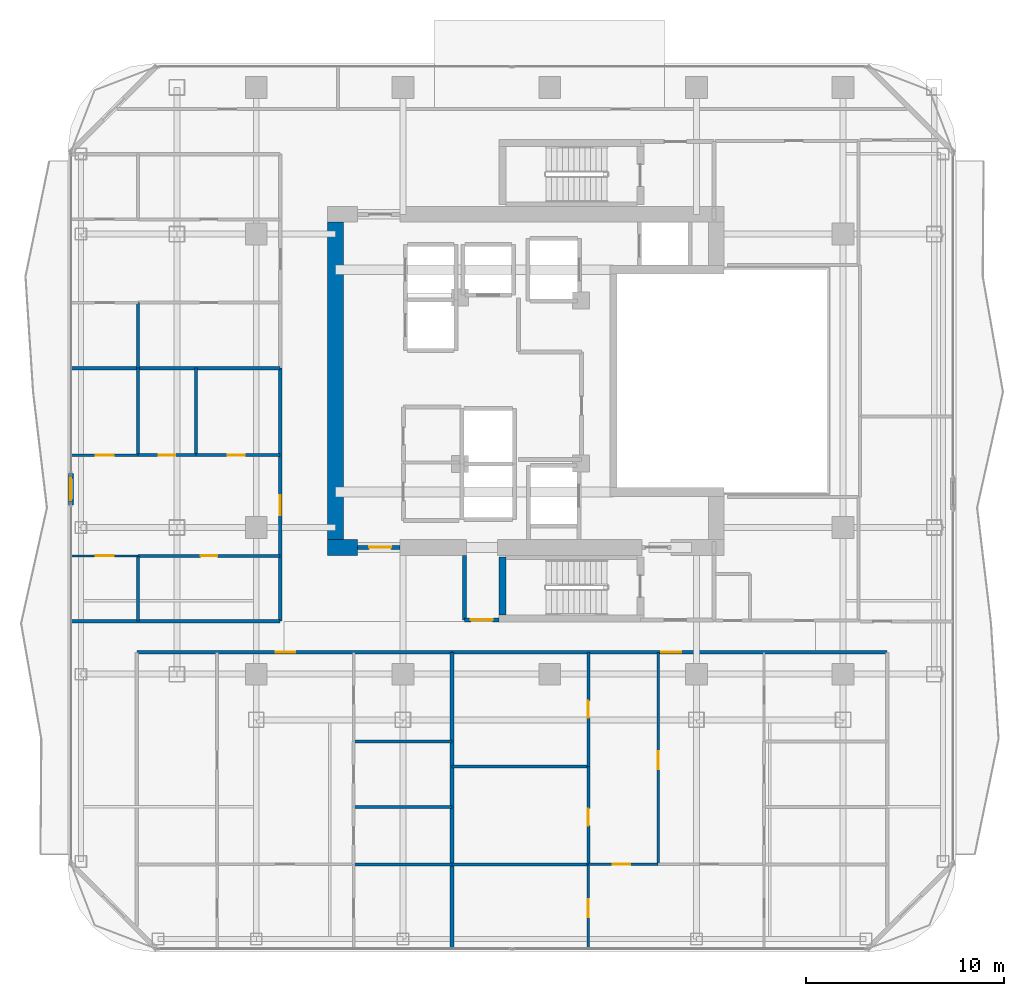
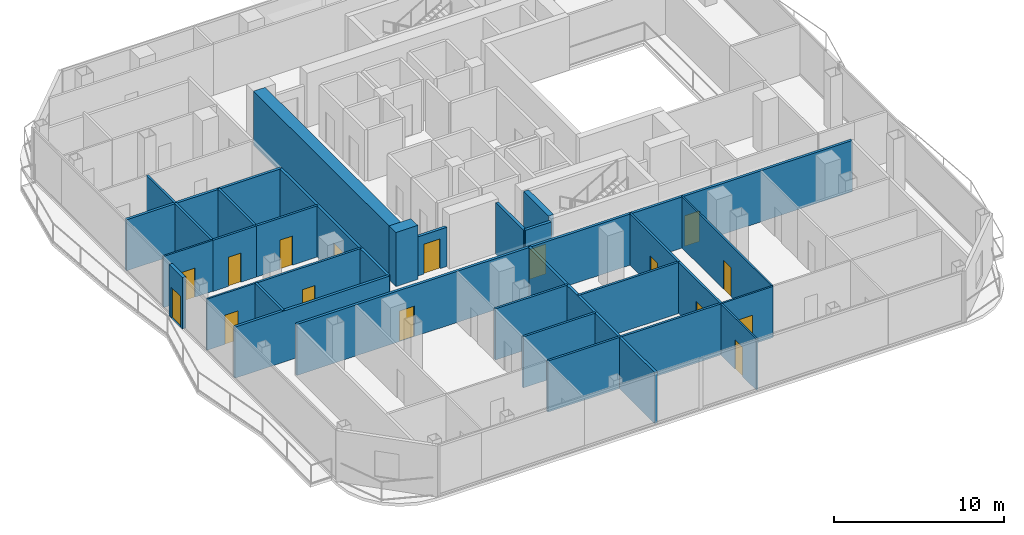
# One storey, part 17 of 23: 32 walls, 16 doors, 16 openings.
"""IFC4 building model written with IfcOpenShell, lengths in metres."""

from ifc_helpers import new_model, si_unit, direction, frame, frame_2d, origin, place, context, subcontext, project, spatial, rectangle, extrude, material, layer, layer_set, type_object, element, fill, save


model = new_model("IFC4")

# Units and contexts
model_context = context("Model", 3, precision=1e-05, world=origin(), true_north=direction((0.0, 1.0)))
body_context = subcontext(model_context, "Body", "Model", "MODEL_VIEW")
ifc_project = project(units=[si_unit("LENGTHUNIT", "METRE"), si_unit("AREAUNIT", "SQUARE_METRE"), si_unit("VOLUMEUNIT", "CUBIC_METRE"), si_unit("PLANEANGLEUNIT", "RADIAN"), si_unit("MASSUNIT", "GRAM", prefix="KILO")], contexts=[model_context])

# Site, building, storey
site_placement = place(None, origin())
site = spatial("IfcSite", under=ifc_project, at=site_placement, CompositionType="ELEMENT")
building_placement = place(site_placement, origin())
building = spatial("IfcBuilding", under=site, at=building_placement, Name="Khorvyn Point Tower", CompositionType="ELEMENT")
storey_placement = place(building_placement, frame((0.0, 0.0, 195.300048828125)))
storey = spatial("IfcBuildingStorey", under=building, at=storey_placement, Name="L48", CompositionType="ELEMENT", Elevation=195.300048828125)

# Wall, opening, door
ifc_material_1 = material(Name="Double acoustic gypsum on twin steel stud", Category="steel")
ifc_layer_1 = layer(ifc_material_1, 0.179931640625)
ifc_layer_set_1 = layer_set([ifc_layer_1], Name="Acoustic Double-Stud Apartment Demising Wall 180")
wall_type_1 = type_object("IfcWallType", Name="Acoustic Double-Stud Apartment Demising Wall 180", PredefinedType="PARTITIONING", material=ifc_layer_set_1)
wall_1_placement = place(storey_placement, frame((-20.820068359375, -13.699951171875, 0.0), z_axis=(0.0, 0.0, 1.0), x_axis=(1.0, 0.0, 0.0)))
wall_1 = element("IfcWall", 1, at=wall_1_placement, inside=storey, type_object=wall_type_1, Name="Wall", PredefinedType="PARTITIONING", context=body_context, shape_type="SweptSolid", body=[
    extrude(rectangle(XDim=15.89306640625, YDim=0.179931640625, at=frame_2d((7.946533203125, 0.0))), origin(), (0.0, 0.0, 1.0), 3.679931640625),
])
opening_1_placement = place(wall_1_placement, frame((6.99658203125, 0.0, 0.0)))
opening_1 = element("IfcOpeningElement", 2, at=opening_1_placement, cuts=wall_1, Name="Opening ID-AP60", PredefinedType="OPENING", context=body_context, shape_type="SweptSolid", body=[
    extrude(rectangle(XDim=1.0, YDim=2.199951171875, at=frame_2d((0.5, 1.10009765625))), frame((0.0, 0.099853515625, 0.0), z_axis=(0.0, -1.0, 0.0), x_axis=(1.0, 0.0, 0.0)), (0.0, 0.0, 1.0), 0.199951171875),
])
ifc_material_2 = material(Name="Engineered hardwood fire-rated leaf", Category="wood")
door_type_1 = type_object("IfcDoorType", Name="Acoustic Solid-Core Timber Apartment Entrance Door 1000x2200", OperationType="NOTDEFINED", PredefinedType="DOOR", material=ifc_material_2)
door_1_placement = place(opening_1_placement, origin())
door_1 = element("IfcDoor", 3, at=door_1_placement, inside=storey, type_object=door_type_1, Name="Door", OperationType="SINGLE_SWING_LEFT", OverallHeight=2.199951171875, OverallWidth=1.0, PredefinedType="DOOR", context=body_context, shape_type="SweptSolid", body=[
    extrude(rectangle(XDim=1.0, YDim=2.199951171875, at=frame_2d((0.5, 1.10009765625))), frame((0.0, 0.02490234375, 0.0), z_axis=(0.0, -1.0, 0.0), x_axis=(1.0, 0.0, 0.0)), (0.0, 0.0, 1.0), 0.050048828125),
])
fill(opening_1, door_1)

wall_2_placement = place(storey_placement, frame((-4.927001953125, -13.699951171875, 0.0), z_axis=(0.0, 0.0, 1.0), x_axis=(1.0, 0.0, 0.0)))
wall_2 = element("IfcWall", 4, at=wall_2_placement, inside=storey, type_object=wall_type_1, Name="Wall", PredefinedType="PARTITIONING", context=body_context, shape_type="SweptSolid", body=[
    extrude(rectangle(XDim=21.947021484375, YDim=0.179931640625, at=frame_2d((10.9736328125, 0.0))), origin(), (0.0, 0.0, 1.0), 3.679931640625),
])
opening_2_placement = place(wall_2_placement, frame((10.563232421875, 0.0, 0.0)))
opening_2 = element("IfcOpeningElement", 5, at=opening_2_placement, cuts=wall_2, Name="Opening ID-AP60", PredefinedType="OPENING", context=body_context, shape_type="SweptSolid", body=[
    extrude(rectangle(XDim=1.0, YDim=2.199951171875, at=frame_2d((0.5, 1.10009765625))), frame((0.0, 0.099853515625, 0.0), z_axis=(0.0, -1.0, 0.0), x_axis=(1.0, 0.0, 0.0)), (0.0, 0.0, 1.0), 0.199951171875),
])
door_2_placement = place(opening_2_placement, origin())
door_2 = element("IfcDoor", 6, at=door_2_placement, inside=storey, type_object=door_type_1, Name="Door", OperationType="SINGLE_SWING_LEFT", OverallHeight=2.199951171875, OverallWidth=1.0, PredefinedType="DOOR", context=body_context, shape_type="SweptSolid", body=[
    extrude(rectangle(XDim=1.0, YDim=2.199951171875, at=frame_2d((0.5, 1.10009765625))), frame((0.0, 0.02490234375, 0.0), z_axis=(0.0, -1.0, 0.0), x_axis=(1.0, 0.0, 0.0)), (0.0, 0.0, 1.0), 0.050048828125),
])
fill(opening_2, door_2)

wall_3_placement = place(storey_placement, frame((-13.60009765625, -12.1201171875, 0.0), z_axis=(0.0, 0.0, 1.0), x_axis=(0.0, 1.0, 0.0)))
wall_3 = element("IfcWall", 7, at=wall_3_placement, inside=storey, type_object=wall_type_1, Name="Wall", PredefinedType="PARTITIONING", context=body_context, shape_type="SweptSolid", body=[
    extrude(rectangle(XDim=12.76416015625, YDim=0.179931640625, at=frame_2d((6.382080078125, 0.0))), origin(), (0.0, 0.0, 1.0), 3.679931640625),
])
opening_3_placement = place(wall_3_placement, frame((5.345703125, 0.0, 0.0)))
opening_3 = element("IfcOpeningElement", 8, at=opening_3_placement, cuts=wall_3, Name="Opening ID-AP60", PredefinedType="OPENING", context=body_context, shape_type="SweptSolid", body=[
    extrude(rectangle(XDim=1.0, YDim=2.199951171875, at=frame_2d((0.5, 1.10009765625))), frame((0.0, 0.099853515625, 0.0), z_axis=(0.0, -1.0, 0.0), x_axis=(1.0, 0.0, 0.0)), (0.0, 0.0, 1.0), 0.199951171875),
])
door_3_placement = place(opening_3_placement, origin())
door_3 = element("IfcDoor", 9, at=door_3_placement, inside=storey, type_object=door_type_1, Name="Door", OperationType="SINGLE_SWING_RIGHT", OverallHeight=2.199951171875, OverallWidth=1.0, PredefinedType="DOOR", context=body_context, shape_type="SweptSolid", body=[
    extrude(rectangle(XDim=1.0, YDim=2.199951171875, at=frame_2d((0.5, 1.10009765625))), frame((0.0, 0.02490234375, 0.0), z_axis=(0.0, -1.0, 0.0), x_axis=(1.0, 0.0, 0.0)), (0.0, 0.0, 1.0), 0.050048828125),
])
fill(opening_3, door_3)

# Walls
wall_4_placement = place(storey_placement, frame((-4.927001953125, -28.6298828125, 0.0), z_axis=(0.0, 0.0, 1.0), x_axis=(0.0, 1.0, 0.0)))
element("IfcWall", 10, at=wall_4_placement, inside=storey, type_object=wall_type_1, Name="Wall", PredefinedType="PARTITIONING", context=body_context, shape_type="SweptSolid", body=[
    extrude(rectangle(XDim=14.929931640625, YDim=0.179931640625, at=frame_2d((7.46484375, 0.0))), origin(), (0.0, 0.0, 1.0), 3.679931640625),
])
for number, where, z_axis, x_axis, name in (
    (11, (-24.1298828125, 0.64404296875, 0.0), (0.0, 0.0, 1.0), (1.0, 0.0, 0.0), "Wall"),
    (12, (-24.1298828125, -12.1201171875, 0.0), (0.0, 0.0, 1.0), (1.0, 0.0, 0.0), "Wall"),
):
    element("IfcWall", number, at=place(storey_placement, frame(where, z_axis=z_axis, x_axis=x_axis)), inside=storey, type_object=wall_type_1, Name=name, PredefinedType="PARTITIONING", context=body_context, shape_type="SweptSolid", body=[
        extrude(rectangle(XDim=10.52978515625, YDim=0.179931640625, at=frame_2d((5.264892578125, 0.0))), origin(), (0.0, 0.0, 1.0), 3.679931640625),
    ])

# Wall, opening, door
ifc_material_3 = material(Name="Pale anodised aluminium rainscreen on steel stud", Category="steel")
ifc_layer_2 = layer(ifc_material_3, 0.239990234375)
ifc_layer_set_2 = layer_set([ifc_layer_2], Name="Anodised Aluminium Insulated Corner Spandrel Wall 240")
wall_type_2 = type_object("IfcWallType", Name="Anodised Aluminium Insulated Corner Spandrel Wall 240", PredefinedType="SOLIDWALL", material=ifc_layer_set_2)
wall_5_placement = place(storey_placement, frame((-24.14990234375, -6.25390625, 0.0), z_axis=(0.0, 0.0, 1.0), x_axis=(0.0, 1.0, 0.0)))
wall_5 = element("IfcWall", 13, at=wall_5_placement, inside=storey, type_object=wall_type_2, Name="L48 West Outdoor Threshold Wall", PredefinedType="SOLIDWALL", context=body_context, shape_type="SweptSolid", body=[
    extrude(rectangle(XDim=1.579833984375, YDim=0.239990234375, at=frame_2d((0.7900390625, 0.0))), origin(), (0.0, 0.0, 1.0), 3.679931640625),
])
opening_4_placement = place(wall_5_placement, frame((0.239990234375, 0.0, 0.0)))
opening_4 = element("IfcOpeningElement", 14, at=opening_4_placement, cuts=wall_5, Name="Opening BD-1122", PredefinedType="OPENING", context=body_context, shape_type="SweptSolid", body=[
    extrude(rectangle(XDim=1.10009765625, YDim=2.199951171875, at=frame_2d((0.550048828125, 1.10009765625))), frame((0.0, 0.1298828125, 0.0), z_axis=(0.0, -1.0, 0.0), x_axis=(1.0, 0.0, 0.0)), (0.0, 0.0, 1.0), 0.260009765625),
])
ifc_material_4 = material(Name="Anodised aluminium 6063-T6 and laminated Low-E glass", Category="aluminium")
door_type_2 = type_object("IfcDoorType", Name="Glazed Balcony and Terrace Threshold Door 1100x2200", OperationType="NOTDEFINED", PredefinedType="DOOR", material=ifc_material_4)
door_4_placement = place(opening_4_placement, origin())
door_4 = element("IfcDoor", 15, at=door_4_placement, inside=storey, type_object=door_type_2, Name="L48 West Glazed Balcony Outdoor Door", OperationType="SINGLE_SWING_RIGHT", OverallHeight=2.199951171875, OverallWidth=1.10009765625, PredefinedType="DOOR", context=body_context, shape_type="SweptSolid", body=[
    extrude(rectangle(XDim=1.10009765625, YDim=2.199951171875, at=frame_2d((0.550048828125, 1.10009765625))), frame((0.0, 0.02490234375, 0.0), z_axis=(0.0, -1.0, 0.0), x_axis=(1.0, 0.0, 0.0)), (0.0, 0.0, 1.0), 0.050048828125),
])
fill(opening_4, door_4)

ifc_material_5 = material(Name="Concrete C40/50", Category="concrete")
ifc_layer_3 = layer(ifc_material_5, 0.199951171875)
ifc_layer_set_3 = layer_set([ifc_layer_3], Name="Concrete C40/50 Fire-Lobby Compartment Wall 200")
wall_type_3 = type_object("IfcWallType", Name="Concrete C40/50 Fire-Lobby Compartment Wall 200", PredefinedType="SOLIDWALL", material=ifc_layer_set_3)
wall_6_placement = place(storey_placement, frame((-9.699951171875, -8.39990234375, 0.0), z_axis=(0.0, 0.0, 1.0), x_axis=(1.0, 0.0, 0.0)))
wall_6 = element("IfcWall", 16, at=wall_6_placement, inside=storey, type_object=wall_type_3, Name="Wall", PredefinedType="SOLIDWALL", context=body_context, shape_type="SweptSolid", body=[
    extrude(rectangle(XDim=2.14990234375, YDim=0.199951171875, at=frame_2d((1.074951171875, 0.0))), origin(), (0.0, 0.0, 1.0), 2.820068359375),
])
opening_5_placement = place(wall_6_placement, frame((0.597900390625, 0.0, 0.0)))
opening_5 = element("IfcOpeningElement", 17, at=opening_5_placement, cuts=wall_6, Name="Opening ID-FL90", PredefinedType="OPENING", context=body_context, shape_type="SweptSolid", body=[
    extrude(rectangle(XDim=1.10009765625, YDim=2.14990234375, at=frame_2d((0.550048828125, 1.074951171875))), frame((0.0, 0.10986328125, 0.0), z_axis=(0.0, -1.0, 0.0), x_axis=(1.0, 0.0, 0.0)), (0.0, 0.0, 1.0), 0.219970703125),
])
ifc_material_6 = material(Name="Galvanised powder-coated steel", Category="steel")
door_type_3 = type_object("IfcDoorType", Name="Fire-Rated Steel Lobby and Stair Door 1100x2150", OperationType="NOTDEFINED", PredefinedType="DOOR", material=ifc_material_6)
door_5_placement = place(opening_5_placement, origin())
door_5 = element("IfcDoor", 18, at=door_5_placement, inside=storey, type_object=door_type_3, Name="Door", OperationType="SINGLE_SWING_RIGHT", OverallHeight=2.14990234375, OverallWidth=1.10009765625, PredefinedType="DOOR", context=body_context, shape_type="SweptSolid", body=[
    extrude(rectangle(XDim=1.10009765625, YDim=2.14990234375, at=frame_2d((0.550048828125, 1.074951171875))), frame((0.0, 0.02490234375, 0.0), z_axis=(0.0, -1.0, 0.0), x_axis=(1.0, 0.0, 0.0)), (0.0, 0.0, 1.0), 0.050048828125),
])
fill(opening_5, door_5)

wall_7_placement = place(storey_placement, frame((-4.300048828125, -12.06005859375, 0.0), z_axis=(0.0, 0.0, 1.0), x_axis=(1.0, 0.0, 0.0)))
wall_7 = element("IfcWall", 19, at=wall_7_placement, inside=storey, type_object=wall_type_3, Name="Wall", PredefinedType="SOLIDWALL", context=body_context, shape_type="SweptSolid", body=[
    extrude(rectangle(XDim=1.75, YDim=0.199951171875, at=frame_2d((0.875, 0.0))), origin(), (0.0, 0.0, 1.0), 3.679931640625),
])
opening_6_placement = place(wall_7_placement, frame((0.324951171875, 0.0, 0.0)))
opening_6 = element("IfcOpeningElement", 20, at=opening_6_placement, cuts=wall_7, Name="Opening ID-FL90", PredefinedType="OPENING", context=body_context, shape_type="SweptSolid", body=[
    extrude(rectangle(XDim=1.10009765625, YDim=2.14990234375, at=frame_2d((0.550048828125, 1.074951171875))), frame((0.0, 0.10986328125, 0.0), z_axis=(0.0, -1.0, 0.0), x_axis=(1.0, 0.0, 0.0)), (0.0, 0.0, 1.0), 0.219970703125),
])
door_6_placement = place(opening_6_placement, origin())
door_6 = element("IfcDoor", 21, at=door_6_placement, inside=storey, type_object=door_type_3, Name="Door", OperationType="SINGLE_SWING_RIGHT", OverallHeight=2.14990234375, OverallWidth=1.10009765625, PredefinedType="DOOR", context=body_context, shape_type="SweptSolid", body=[
    extrude(rectangle(XDim=1.10009765625, YDim=2.14990234375, at=frame_2d((0.550048828125, 1.074951171875))), frame((0.0, 0.02490234375, 0.0), z_axis=(0.0, -1.0, 0.0), x_axis=(1.0, 0.0, 0.0)), (0.0, 0.0, 1.0), 0.050048828125),
])
fill(opening_6, door_6)

# Walls
wall_8_placement = place(storey_placement, frame((-4.300048828125, -12.06005859375, 0.0), z_axis=(0.0, 0.0, 1.0), x_axis=(0.0, 1.0, 0.0)))
element("IfcWall", 22, at=wall_8_placement, inside=storey, type_object=wall_type_3, Name="Wall", PredefinedType="SOLIDWALL", context=body_context, shape_type="SweptSolid", body=[
    extrude(rectangle(XDim=3.260009765625, YDim=0.199951171875, at=frame_2d((1.6298828125, 0.0))), origin(), (0.0, 0.0, 1.0), 3.679931640625),
])
ifc_layer_4 = layer(ifc_material_5, 0.35009765625)
ifc_layer_set_4 = layer_set([ifc_layer_4], Name="Concrete C40/50 Stair Shaft Structural Wall 350")
wall_type_4 = type_object("IfcWallType", Name="Concrete C40/50 Stair Shaft Structural Wall 350", PredefinedType="SHEAR", material=ifc_layer_set_4)
wall_9_placement = place(storey_placement, frame((-2.3798828125, -11.824951171875, 0.0), z_axis=(0.0, 0.0, 1.0), x_axis=(0.0, 1.0, 0.0)))
element("IfcWall", 23, at=wall_9_placement, inside=storey, type_object=wall_type_4, Name="L48 ST-01 West Shaft Wall", PredefinedType="SHEAR", context=body_context, shape_type="SweptSolid", body=[
    extrude(rectangle(XDim=2.925048828125, YDim=0.35009765625, at=frame_2d((1.46240234375, 0.0))), origin(), (0.0, 0.0, 1.0), 3.89990234375),
])
ifc_material_7 = material(Name="Concrete C45/55", Category="concrete")
ifc_layer_5 = layer(ifc_material_7, 0.800048828125)
ifc_layer_set_5 = layer_set([ifc_layer_5], Name="Concrete C45/55 Core Shear Wall 800")
wall_type_5 = type_object("IfcWallType", Name="Concrete C45/55 Core Shear Wall 800", PredefinedType="SHEAR", material=ifc_layer_set_5)
wall_10_placement = place(storey_placement, frame((-11.199951171875, -8.39990234375, 0.0), z_axis=(0.0, 0.0, 1.0), x_axis=(1.0, 0.0, 0.0)))
element("IfcWall", 24, at=wall_10_placement, inside=storey, type_object=wall_type_5, Name="Wall", PredefinedType="SHEAR", context=body_context, shape_type="SweptSolid", body=[
    extrude(rectangle(XDim=1.5, YDim=0.800048828125, at=frame_2d((0.75, 0.0))), origin(), (0.0, 0.0, 1.0), 3.89990234375),
])
wall_11_placement = place(storey_placement, frame((-10.800048828125, -8.0, 0.0), z_axis=(0.0, 0.0, 1.0), x_axis=(0.0, 1.0, 0.0)))
element("IfcWall", 25, at=wall_11_placement, inside=storey, type_object=wall_type_5, Name="Wall", PredefinedType="SHEAR", context=body_context, shape_type="SweptSolid", body=[
    extrude(rectangle(XDim=16.0, YDim=0.800048828125, at=frame_2d((8.0, 0.0))), origin(), (0.0, 0.0, 1.0), 3.89990234375),
])

# Wall, opening, door
ifc_material_8 = material(Name="Gypsum plasterboard on steel stud", Category="steel")
ifc_layer_6 = layer(ifc_material_8, 0.1201171875)
ifc_layer_set_6 = layer_set([ifc_layer_6], Name="Gypsum Acoustic Stud Room Partition Wall 120")
wall_type_6 = type_object("IfcWallType", Name="Gypsum Acoustic Stud Room Partition Wall 120", PredefinedType="PARTITIONING", material=ifc_layer_set_6)
wall_12_placement = place(storey_placement, frame((1.955078125, -24.389892578125, 0.0), z_axis=(0.0, 0.0, 1.0), x_axis=(1.0, 0.0, 0.0)))
wall_12 = element("IfcWall", 26, at=wall_12_placement, inside=storey, type_object=wall_type_6, Name="Wall", PredefinedType="PARTITIONING", context=body_context, shape_type="SweptSolid", body=[
    extrude(rectangle(XDim=3.516845703125, YDim=0.1201171875, at=frame_2d((1.75830078125, 0.0))), origin(), (0.0, 0.0, 1.0), 3.679931640625),
])
opening_7_placement = place(wall_12_placement, frame((1.22021484375, 0.0, 0.0)))
opening_7 = element("IfcOpeningElement", 27, at=opening_7_placement, cuts=wall_12, Name="Opening ID-RM90", PredefinedType="OPENING", context=body_context, shape_type="SweptSolid", body=[
    extrude(rectangle(XDim=0.89990234375, YDim=2.10009765625, at=frame_2d((0.449951171875, 1.050048828125))), frame((0.0, 0.070068359375, 0.0), z_axis=(0.0, -1.0, 0.0), x_axis=(1.0, 0.0, 0.0)), (0.0, 0.0, 1.0), 0.14013671875),
])
ifc_material_9 = material(Name="Engineered oak veneer timber", Category="wood")
door_type_4 = type_object("IfcDoorType", Name="Flush Engineered Timber Room Door 900x2100", OperationType="NOTDEFINED", PredefinedType="DOOR", material=ifc_material_9)
door_7_placement = place(opening_7_placement, origin())
door_7 = element("IfcDoor", 28, at=door_7_placement, inside=storey, type_object=door_type_4, Name="Door", OperationType="SINGLE_SWING_RIGHT", OverallHeight=2.10009765625, OverallWidth=0.89990234375, PredefinedType="DOOR", context=body_context, shape_type="SweptSolid", body=[
    extrude(rectangle(XDim=0.89990234375, YDim=2.10009765625, at=frame_2d((0.449951171875, 1.050048828125))), frame((0.0, 0.02490234375, 0.0), z_axis=(0.0, -1.0, 0.0), x_axis=(1.0, 0.0, 0.0)), (0.0, 0.0, 1.0), 0.050048828125),
])
fill(opening_7, door_7)

wall_13_placement = place(storey_placement, frame((5.471923828125, -24.389892578125, 0.0), z_axis=(0.0, 0.0, 1.0), x_axis=(0.0, 1.0, 0.0)))
wall_13 = element("IfcWall", 29, at=wall_13_placement, inside=storey, type_object=wall_type_6, Name="Wall", PredefinedType="PARTITIONING", context=body_context, shape_type="SweptSolid", body=[
    extrude(rectangle(XDim=10.68994140625, YDim=0.1201171875, at=frame_2d((5.344970703125, 0.0))), origin(), (0.0, 0.0, 1.0), 3.679931640625),
])
opening_8_placement = place(wall_13_placement, frame((4.8056640625, 0.0, 0.0)))
opening_8 = element("IfcOpeningElement", 30, at=opening_8_placement, cuts=wall_13, Name="Opening ID-RM90", PredefinedType="OPENING", context=body_context, shape_type="SweptSolid", body=[
    extrude(rectangle(XDim=0.89990234375, YDim=2.10009765625, at=frame_2d((0.449951171875, 1.050048828125))), frame((0.0, 0.070068359375, 0.0), z_axis=(0.0, -1.0, 0.0), x_axis=(1.0, 0.0, 0.0)), (0.0, 0.0, 1.0), 0.14013671875),
])
door_8_placement = place(opening_8_placement, origin())
door_8 = element("IfcDoor", 31, at=door_8_placement, inside=storey, type_object=door_type_4, Name="Door", OperationType="SINGLE_SWING_RIGHT", OverallHeight=2.10009765625, OverallWidth=0.89990234375, PredefinedType="DOOR", context=body_context, shape_type="SweptSolid", body=[
    extrude(rectangle(XDim=0.89990234375, YDim=2.10009765625, at=frame_2d((0.449951171875, 1.050048828125))), frame((0.0, 0.02490234375, 0.0), z_axis=(0.0, -1.0, 0.0), x_axis=(1.0, 0.0, 0.0)), (0.0, 0.0, 1.0), 0.050048828125),
])
fill(opening_8, door_8)

wall_14_placement = place(storey_placement, frame((1.955078125, -28.6298828125, 0.0), z_axis=(0.0, 0.0, 1.0), x_axis=(0.0, 1.0, 0.0)))
wall_14 = element("IfcWall", 32, at=wall_14_placement, inside=storey, type_object=wall_type_6, Name="Wall", PredefinedType="PARTITIONING", context=body_context, shape_type="SweptSolid", body=[
    extrude(rectangle(XDim=4.239990234375, YDim=0.1201171875, at=frame_2d((2.1201171875, 0.0))), origin(), (0.0, 0.0, 1.0), 3.679931640625),
])
opening_9_placement = place(wall_14_placement, frame((1.581298828125, 0.0, 0.0)))
opening_9 = element("IfcOpeningElement", 33, at=opening_9_placement, cuts=wall_14, Name="Opening ID-RM90", PredefinedType="OPENING", context=body_context, shape_type="SweptSolid", body=[
    extrude(rectangle(XDim=0.89990234375, YDim=2.10009765625, at=frame_2d((0.449951171875, 1.050048828125))), frame((0.0, 0.070068359375, 0.0), z_axis=(0.0, -1.0, 0.0), x_axis=(1.0, 0.0, 0.0)), (0.0, 0.0, 1.0), 0.14013671875),
])
door_9_placement = place(opening_9_placement, origin())
door_9 = element("IfcDoor", 34, at=door_9_placement, inside=storey, type_object=door_type_4, Name="Door", OperationType="SINGLE_SWING_LEFT", OverallHeight=2.10009765625, OverallWidth=0.89990234375, PredefinedType="DOOR", context=body_context, shape_type="SweptSolid", body=[
    extrude(rectangle(XDim=0.89990234375, YDim=2.10009765625, at=frame_2d((0.449951171875, 1.050048828125))), frame((0.0, 0.02490234375, 0.0), z_axis=(0.0, -1.0, 0.0), x_axis=(1.0, 0.0, 0.0)), (0.0, 0.0, 1.0), 0.050048828125),
])
fill(opening_9, door_9)

wall_15_placement = place(storey_placement, frame((-24.1298828125, -8.8359375, 0.0), z_axis=(0.0, 0.0, 1.0), x_axis=(1.0, 0.0, 0.0)))
wall_15 = element("IfcWall", 35, at=wall_15_placement, inside=storey, type_object=wall_type_6, Name="Wall", PredefinedType="PARTITIONING", context=body_context, shape_type="SweptSolid", body=[
    extrude(rectangle(XDim=3.36083984375, YDim=0.1201171875, at=frame_2d((1.680419921875, 0.0))), origin(), (0.0, 0.0, 1.0), 3.679931640625),
])
opening_10_placement = place(wall_15_placement, frame((1.23046875, 0.0, 0.0)))
opening_10 = element("IfcOpeningElement", 36, at=opening_10_placement, cuts=wall_15, Name="Opening ID-RM90", PredefinedType="OPENING", context=body_context, shape_type="SweptSolid", body=[
    extrude(rectangle(XDim=0.89990234375, YDim=2.10009765625, at=frame_2d((0.449951171875, 1.050048828125))), frame((0.0, 0.070068359375, 0.0), z_axis=(0.0, -1.0, 0.0), x_axis=(1.0, 0.0, 0.0)), (0.0, 0.0, 1.0), 0.14013671875),
])
door_10_placement = place(opening_10_placement, origin())
door_10 = element("IfcDoor", 37, at=door_10_placement, inside=storey, type_object=door_type_4, Name="Door", OperationType="SINGLE_SWING_RIGHT", OverallHeight=2.10009765625, OverallWidth=0.89990234375, PredefinedType="DOOR", context=body_context, shape_type="SweptSolid", body=[
    extrude(rectangle(XDim=0.89990234375, YDim=2.10009765625, at=frame_2d((0.449951171875, 1.050048828125))), frame((0.0, 0.02490234375, 0.0), z_axis=(0.0, -1.0, 0.0), x_axis=(1.0, 0.0, 0.0)), (0.0, 0.0, 1.0), 0.050048828125),
])
fill(opening_10, door_10)

wall_16_placement = place(storey_placement, frame((-24.1298828125, -3.7529296875, 0.0), z_axis=(0.0, 0.0, 1.0), x_axis=(1.0, 0.0, 0.0)))
wall_16 = element("IfcWall", 38, at=wall_16_placement, inside=storey, type_object=wall_type_6, Name="Wall", PredefinedType="PARTITIONING", context=body_context, shape_type="SweptSolid", body=[
    extrude(rectangle(XDim=3.36083984375, YDim=0.1201171875, at=frame_2d((1.680419921875, 0.0))), origin(), (0.0, 0.0, 1.0), 3.679931640625),
])
opening_11_placement = place(wall_16_placement, frame((1.23046875, 0.0, 0.0)))
opening_11 = element("IfcOpeningElement", 39, at=opening_11_placement, cuts=wall_16, Name="Opening ID-RM90", PredefinedType="OPENING", context=body_context, shape_type="SweptSolid", body=[
    extrude(rectangle(XDim=0.89990234375, YDim=2.10009765625, at=frame_2d((0.449951171875, 1.050048828125))), frame((0.0, 0.070068359375, 0.0), z_axis=(0.0, -1.0, 0.0), x_axis=(1.0, 0.0, 0.0)), (0.0, 0.0, 1.0), 0.14013671875),
])
door_11_placement = place(opening_11_placement, origin())
door_11 = element("IfcDoor", 40, at=door_11_placement, inside=storey, type_object=door_type_4, Name="Door", OperationType="SINGLE_SWING_LEFT", OverallHeight=2.10009765625, OverallWidth=0.89990234375, PredefinedType="DOOR", context=body_context, shape_type="SweptSolid", body=[
    extrude(rectangle(XDim=0.89990234375, YDim=2.10009765625, at=frame_2d((0.449951171875, 1.050048828125))), frame((0.0, 0.02490234375, 0.0), z_axis=(0.0, -1.0, 0.0), x_axis=(1.0, 0.0, 0.0)), (0.0, 0.0, 1.0), 0.050048828125),
])
fill(opening_11, door_11)

ifc_material_10 = material(Name="Moisture-resistant gypsum and cement board", Category="gypsum")
ifc_layer_7 = layer(ifc_material_10, 0.14990234375)
ifc_layer_set_7 = layer_set([ifc_layer_7], Name="Moisture-Resistant Wet-Room Partition Wall 150")
wall_type_7 = type_object("IfcWallType", Name="Moisture-Resistant Wet-Room Partition Wall 150", PredefinedType="PARTITIONING", material=ifc_layer_set_7)
wall_17_placement = place(storey_placement, frame((1.955078125, -24.389892578125, 0.0), z_axis=(0.0, 0.0, 1.0), x_axis=(0.0, 1.0, 0.0)))
wall_17 = element("IfcWall", 41, at=wall_17_placement, inside=storey, type_object=wall_type_7, Name="Wall", PredefinedType="PARTITIONING", context=body_context, shape_type="SweptSolid", body=[
    extrude(rectangle(XDim=4.93994140625, YDim=0.14990234375, at=frame_2d((2.469970703125, 0.0))), origin(), (0.0, 0.0, 1.0), 3.679931640625),
])
opening_12_placement = place(wall_17_placement, frame((1.955078125, 0.0, 0.0)))
opening_12 = element("IfcOpeningElement", 42, at=opening_12_placement, cuts=wall_17, Name="Opening ID-WC85", PredefinedType="OPENING", context=body_context, shape_type="SweptSolid", body=[
    extrude(rectangle(XDim=0.85009765625, YDim=2.10009765625, at=frame_2d((0.425048828125, 1.050048828125))), frame((0.0, 0.0849609375, 0.0), z_axis=(0.0, -1.0, 0.0), x_axis=(1.0, 0.0, 0.0)), (0.0, 0.0, 1.0), 0.169921875),
])
ifc_material_11 = material(Name="High-pressure laminate on moisture-resistant core", Category="wood")
door_type_5 = type_object("IfcDoorType", Name="Moisture-Resistant Accessible Washroom Door 850x2100", OperationType="NOTDEFINED", PredefinedType="DOOR", material=ifc_material_11)
door_12_placement = place(opening_12_placement, origin())
door_12 = element("IfcDoor", 43, at=door_12_placement, inside=storey, type_object=door_type_5, Name="Door", OperationType="SINGLE_SWING_LEFT", OverallHeight=2.10009765625, OverallWidth=0.85009765625, PredefinedType="DOOR", context=body_context, shape_type="SweptSolid", body=[
    extrude(rectangle(XDim=0.85009765625, YDim=2.10009765625, at=frame_2d((0.425048828125, 1.050048828125))), frame((0.0, 0.02490234375, 0.0), z_axis=(0.0, -1.0, 0.0), x_axis=(1.0, 0.0, 0.0)), (0.0, 0.0, 1.0), 0.050048828125),
])
fill(opening_12, door_12)

wall_18_placement = place(storey_placement, frame((1.955078125, -19.449951171875, 0.0), z_axis=(0.0, 0.0, 1.0), x_axis=(0.0, 1.0, 0.0)))
wall_18 = element("IfcWall", 44, at=wall_18_placement, inside=storey, type_object=wall_type_7, Name="Wall", PredefinedType="PARTITIONING", context=body_context, shape_type="SweptSolid", body=[
    extrude(rectangle(XDim=5.75, YDim=0.14990234375, at=frame_2d((2.875, 0.0))), origin(), (0.0, 0.0, 1.0), 3.679931640625),
])
opening_13_placement = place(wall_18_placement, frame((2.449951171875, 0.0, 0.0)))
opening_13 = element("IfcOpeningElement", 45, at=opening_13_placement, cuts=wall_18, Name="Opening ID-WC85", PredefinedType="OPENING", context=body_context, shape_type="SweptSolid", body=[
    extrude(rectangle(XDim=0.85009765625, YDim=2.10009765625, at=frame_2d((0.425048828125, 1.050048828125))), frame((0.0, 0.0849609375, 0.0), z_axis=(0.0, -1.0, 0.0), x_axis=(1.0, 0.0, 0.0)), (0.0, 0.0, 1.0), 0.169921875),
])
door_13_placement = place(opening_13_placement, origin())
door_13 = element("IfcDoor", 46, at=door_13_placement, inside=storey, type_object=door_type_5, Name="Door", OperationType="SINGLE_SWING_RIGHT", OverallHeight=2.10009765625, OverallWidth=0.85009765625, PredefinedType="DOOR", context=body_context, shape_type="SweptSolid", body=[
    extrude(rectangle(XDim=0.85009765625, YDim=2.10009765625, at=frame_2d((0.425048828125, 1.050048828125))), frame((0.0, 0.02490234375, 0.0), z_axis=(0.0, -1.0, 0.0), x_axis=(1.0, 0.0, 0.0)), (0.0, 0.0, 1.0), 0.050048828125),
])
fill(opening_13, door_13)

wall_19_placement = place(storey_placement, frame((-20.76904296875, -3.7529296875, 0.0), z_axis=(0.0, 0.0, 1.0), x_axis=(1.0, 0.0, 0.0)))
wall_19 = element("IfcWall", 47, at=wall_19_placement, inside=storey, type_object=wall_type_7, Name="Wall", PredefinedType="PARTITIONING", context=body_context, shape_type="SweptSolid", body=[
    extrude(rectangle(XDim=2.93896484375, YDim=0.14990234375, at=frame_2d((1.469482421875, 0.0))), origin(), (0.0, 0.0, 1.0), 3.679931640625),
])
opening_14_placement = place(wall_19_placement, frame((1.04443359375, 0.0, 0.0)))
opening_14 = element("IfcOpeningElement", 48, at=opening_14_placement, cuts=wall_19, Name="Opening ID-WC85", PredefinedType="OPENING", context=body_context, shape_type="SweptSolid", body=[
    extrude(rectangle(XDim=0.85009765625, YDim=2.10009765625, at=frame_2d((0.425048828125, 1.050048828125))), frame((0.0, 0.0849609375, 0.0), z_axis=(0.0, -1.0, 0.0), x_axis=(1.0, 0.0, 0.0)), (0.0, 0.0, 1.0), 0.169921875),
])
door_14_placement = place(opening_14_placement, origin())
door_14 = element("IfcDoor", 49, at=door_14_placement, inside=storey, type_object=door_type_5, Name="Door", OperationType="SINGLE_SWING_LEFT", OverallHeight=2.10009765625, OverallWidth=0.85009765625, PredefinedType="DOOR", context=body_context, shape_type="SweptSolid", body=[
    extrude(rectangle(XDim=0.85009765625, YDim=2.10009765625, at=frame_2d((0.425048828125, 1.050048828125))), frame((0.0, 0.02490234375, 0.0), z_axis=(0.0, -1.0, 0.0), x_axis=(1.0, 0.0, 0.0)), (0.0, 0.0, 1.0), 0.050048828125),
])
fill(opening_14, door_14)

wall_20_placement = place(storey_placement, frame((-17.830078125, -3.7529296875, 0.0), z_axis=(0.0, 0.0, 1.0), x_axis=(1.0, 0.0, 0.0)))
wall_20 = element("IfcWall", 50, at=wall_20_placement, inside=storey, type_object=wall_type_7, Name="Wall", PredefinedType="PARTITIONING", context=body_context, shape_type="SweptSolid", body=[
    extrude(rectangle(XDim=4.22998046875, YDim=0.14990234375, at=frame_2d((2.114990234375, 0.0))), origin(), (0.0, 0.0, 1.0), 3.679931640625),
])
opening_15_placement = place(wall_20_placement, frame((1.60009765625, 0.0, 0.0)))
opening_15 = element("IfcOpeningElement", 51, at=opening_15_placement, cuts=wall_20, Name="Opening ID-WC85", PredefinedType="OPENING", context=body_context, shape_type="SweptSolid", body=[
    extrude(rectangle(XDim=0.85009765625, YDim=2.10009765625, at=frame_2d((0.425048828125, 1.050048828125))), frame((0.0, 0.0849609375, 0.0), z_axis=(0.0, -1.0, 0.0), x_axis=(1.0, 0.0, 0.0)), (0.0, 0.0, 1.0), 0.169921875),
])
door_15_placement = place(opening_15_placement, origin())
door_15 = element("IfcDoor", 52, at=door_15_placement, inside=storey, type_object=door_type_5, Name="Door", OperationType="SINGLE_SWING_RIGHT", OverallHeight=2.10009765625, OverallWidth=0.85009765625, PredefinedType="DOOR", context=body_context, shape_type="SweptSolid", body=[
    extrude(rectangle(XDim=0.85009765625, YDim=2.10009765625, at=frame_2d((0.425048828125, 1.050048828125))), frame((0.0, 0.02490234375, 0.0), z_axis=(0.0, -1.0, 0.0), x_axis=(1.0, 0.0, 0.0)), (0.0, 0.0, 1.0), 0.050048828125),
])
fill(opening_15, door_15)

wall_21_placement = place(storey_placement, frame((-20.76904296875, -8.8359375, 0.0), z_axis=(0.0, 0.0, 1.0), x_axis=(1.0, 0.0, 0.0)))
wall_21 = element("IfcWall", 53, at=wall_21_placement, inside=storey, type_object=wall_type_7, Name="Wall", PredefinedType="PARTITIONING", context=body_context, shape_type="SweptSolid", body=[
    extrude(rectangle(XDim=7.1689453125, YDim=0.14990234375, at=frame_2d((3.58447265625, 0.0))), origin(), (0.0, 0.0, 1.0), 3.679931640625),
])
opening_16_placement = place(wall_21_placement, frame((3.159423828125, 0.0, 0.0)))
opening_16 = element("IfcOpeningElement", 54, at=opening_16_placement, cuts=wall_21, Name="Opening ID-WC85", PredefinedType="OPENING", context=body_context, shape_type="SweptSolid", body=[
    extrude(rectangle(XDim=0.85009765625, YDim=2.10009765625, at=frame_2d((0.425048828125, 1.050048828125))), frame((0.0, 0.0849609375, 0.0), z_axis=(0.0, -1.0, 0.0), x_axis=(1.0, 0.0, 0.0)), (0.0, 0.0, 1.0), 0.169921875),
])
door_16_placement = place(opening_16_placement, origin())
door_16 = element("IfcDoor", 55, at=door_16_placement, inside=storey, type_object=door_type_5, Name="Door", OperationType="SINGLE_SWING_LEFT", OverallHeight=2.10009765625, OverallWidth=0.85009765625, PredefinedType="DOOR", context=body_context, shape_type="SweptSolid", body=[
    extrude(rectangle(XDim=0.85009765625, YDim=2.10009765625, at=frame_2d((0.425048828125, 1.050048828125))), frame((0.0, 0.02490234375, 0.0), z_axis=(0.0, -1.0, 0.0), x_axis=(1.0, 0.0, 0.0)), (0.0, 0.0, 1.0), 0.050048828125),
])
fill(opening_16, door_16)

# Walls
for number, where, z_axis, x_axis, name in (
    (56, (-9.885009765625, -21.50390625, 0.0), (0.0, 0.0, 1.0), (1.0, 0.0, 0.0), "Wall"),
    (57, (-9.885009765625, -18.18994140625, 0.0), (0.0, 0.0, 1.0), (1.0, 0.0, 0.0), "Wall"),
    (58, (-9.885009765625, -24.389892578125, 0.0), (0.0, 0.0, 1.0), (1.0, 0.0, 0.0), "Wall"),
):
    element("IfcWall", number, at=place(storey_placement, frame(where, z_axis=z_axis, x_axis=x_axis)), inside=storey, type_object=wall_type_7, Name=name, PredefinedType="PARTITIONING", context=body_context, shape_type="SweptSolid", body=[
        extrude(rectangle(XDim=4.9580078125, YDim=0.14990234375, at=frame_2d((2.47900390625, 0.0))), origin(), (0.0, 0.0, 1.0), 3.679931640625),
    ])
for number, where, z_axis, x_axis, name in (
    (59, (-4.927001953125, -19.449951171875, 0.0), (0.0, 0.0, 1.0), (1.0, 0.0, 0.0), "Wall"),
    (60, (-4.927001953125, -24.389892578125, 0.0), (0.0, 0.0, 1.0), (1.0, 0.0, 0.0), "Wall"),
):
    element("IfcWall", number, at=place(storey_placement, frame(where, z_axis=z_axis, x_axis=x_axis)), inside=storey, type_object=wall_type_7, Name=name, PredefinedType="PARTITIONING", context=body_context, shape_type="SweptSolid", body=[
        extrude(rectangle(XDim=6.882080078125, YDim=0.14990234375, at=frame_2d((3.44091796875, 0.0))), origin(), (0.0, 0.0, 1.0), 3.679931640625),
    ])
wall_22_placement = place(storey_placement, frame((-17.830078125, -3.7529296875, 0.0), z_axis=(0.0, 0.0, 1.0), x_axis=(0.0, 1.0, 0.0)))
element("IfcWall", 61, at=wall_22_placement, inside=storey, type_object=wall_type_7, Name="Wall", PredefinedType="PARTITIONING", context=body_context, shape_type="SweptSolid", body=[
    extrude(rectangle(XDim=4.39697265625, YDim=0.14990234375, at=frame_2d((2.198486328125, 0.0))), origin(), (0.0, 0.0, 1.0), 3.679931640625),
])
wall_23_placement = place(storey_placement, frame((-20.76904296875, -12.1201171875, 0.0), z_axis=(0.0, 0.0, 1.0), x_axis=(0.0, 1.0, 0.0)))
element("IfcWall", 62, at=wall_23_placement, inside=storey, type_object=wall_type_7, Name="Wall", PredefinedType="PARTITIONING", context=body_context, shape_type="SweptSolid", body=[
    extrude(rectangle(XDim=3.2841796875, YDim=0.14990234375, at=frame_2d((1.64208984375, 0.0))), origin(), (0.0, 0.0, 1.0), 3.679931640625),
])
wall_24_placement = place(storey_placement, frame((-20.76904296875, -3.7529296875, 0.0), z_axis=(0.0, 0.0, 1.0), x_axis=(0.0, 1.0, 0.0)))
element("IfcWall", 63, at=wall_24_placement, inside=storey, type_object=wall_type_7, Name="Wall", PredefinedType="PARTITIONING", context=body_context, shape_type="SweptSolid", body=[
    extrude(rectangle(XDim=4.39697265625, YDim=0.14990234375, at=frame_2d((2.198486328125, 0.0))), origin(), (0.0, 0.0, 1.0), 3.679931640625),
])
wall_25_placement = place(storey_placement, frame((-20.76904296875, 0.64404296875, 0.0), z_axis=(0.0, 0.0, 1.0), x_axis=(0.0, 1.0, 0.0)))
element("IfcWall", 64, at=wall_25_placement, inside=storey, type_object=wall_type_7, Name="Wall", PredefinedType="PARTITIONING", context=body_context, shape_type="SweptSolid", body=[
    extrude(rectangle(XDim=3.294921875, YDim=0.14990234375, at=frame_2d((1.6474609375, 0.0))), origin(), (0.0, 0.0, 1.0), 3.679931640625),
])

save(model, "model.ifc")
